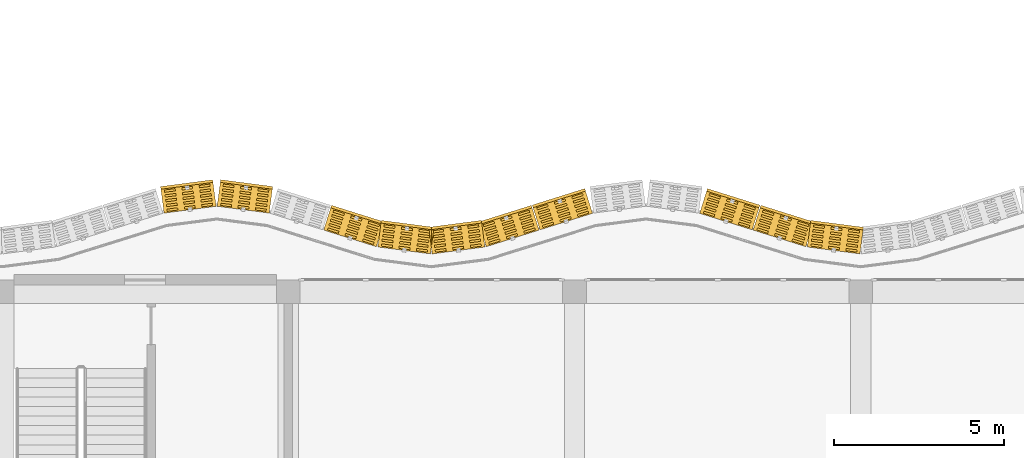
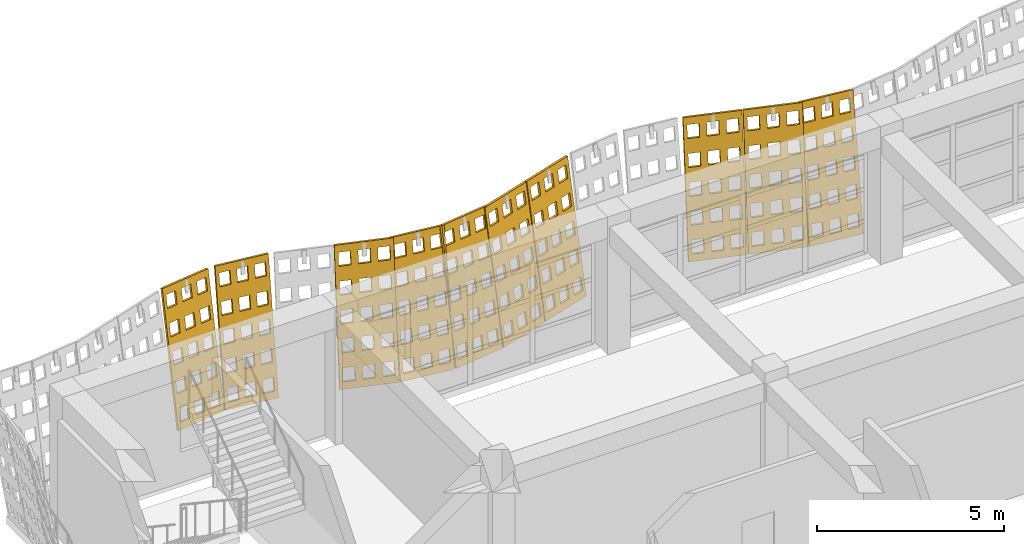
# One storey, part 159 of 163: 10 coverings.
"""IFC4 building model written with IfcOpenShell, lengths in metres."""

from ifc_helpers import new_model, si_unit, direction, frame, origin, place, context, subcontext, project, spatial, polyline, outline, extrude, material, layer, layer_set, type_object, element, save


model = new_model("IFC4")

# Units and contexts
model_context = context("Model", 3, precision=1e-05, world=origin(), true_north=direction((0.0, 1.0)))
body_context = subcontext(model_context, "Body", "Model", "MODEL_VIEW")
ifc_project = project(units=[si_unit("LENGTHUNIT", "METRE"), si_unit("AREAUNIT", "SQUARE_METRE"), si_unit("VOLUMEUNIT", "CUBIC_METRE"), si_unit("PLANEANGLEUNIT", "RADIAN"), si_unit("MASSUNIT", "GRAM", prefix="KILO")], contexts=[model_context])

# Site, building, storey
site_placement = place(None, origin())
site = spatial("IfcSite", under=ifc_project, at=site_placement, CompositionType="ELEMENT")
building_placement = place(site_placement, origin())
building = spatial("IfcBuilding", under=site, at=building_placement, Name="Rain Tree Exposition and Congress Centre", CompositionType="ELEMENT")
storey_placement = place(building_placement, frame((0.0, 0.0, 10.5)))
storey = spatial("IfcBuildingStorey", under=building, at=storey_placement, Name="L02", CompositionType="ELEMENT", Elevation=10.5)

# Coverings
ifc_material = material(Name="Perforated terracotta", Category="masonry")
ifc_layer = layer(ifc_material, 0.080078125)
ifc_layer_set = layer_set([ifc_layer], Name="Perforated terracotta")
covering_type = type_object("IfcCoveringType", Name="Terracotta screen 80", PredefinedType="CLADDING", material=ifc_layer_set)
covering_1_placement = place(storey_placement, frame((25.199951171875, 51.587646484375, 0.0), z_axis=(-0.127967328105, -0.978036007662, 0.16452942185), x_axis=(0.991548658387, -0.129735338481, 0.0)))
element("IfcCovering", 1, at=covering_1_placement, inside=storey, type_object=covering_type, Name="wing/screen/L02/085", PredefinedType="CLADDING", context=body_context, shape_type="SweptSolid", body=[
    extrude(outline(polyline([(-1.5732421875, 0.0), (-1.5732421875, 4.295166015625), (-0.014892578125, 4.295166015625), (-0.014892578125, 0.0), (-1.5732421875, 0.0)]), holes=[polyline([(-0.11376953125, 0.2216796875), (-0.11376953125, 0.63720703125), (-0.435791015625, 0.63720703125), (-0.435791015625, 0.2216796875), (-0.11376953125, 0.2216796875)]), polyline([(-0.11376953125, 1.080810546875), (-0.11376953125, 1.496337890625), (-0.435791015625, 1.496337890625), (-0.435791015625, 1.080810546875), (-0.11376953125, 1.080810546875)]), polyline([(-0.11376953125, 1.939697265625), (-0.11376953125, 2.35546875), (-0.435791015625, 2.35546875), (-0.435791015625, 1.939697265625), (-0.11376953125, 1.939697265625)]), polyline([(-0.11376953125, 2.798583984375), (-0.11376953125, 3.21435546875), (-0.435791015625, 3.21435546875), (-0.435791015625, 2.798583984375), (-0.11376953125, 2.798583984375)]), polyline([(-0.11376953125, 3.65771484375), (-0.11376953125, 4.073486328125), (-0.435791015625, 4.073486328125), (-0.435791015625, 3.65771484375), (-0.11376953125, 3.65771484375)]), polyline([(-0.633056640625, 0.2216796875), (-0.633056640625, 0.63720703125), (-0.955078125, 0.63720703125), (-0.955078125, 0.2216796875), (-0.633056640625, 0.2216796875)]), polyline([(-0.633056640625, 1.080810546875), (-0.633056640625, 1.496337890625), (-0.955078125, 1.496337890625), (-0.955078125, 1.080810546875), (-0.633056640625, 1.080810546875)]), polyline([(-0.633056640625, 1.939697265625), (-0.633056640625, 2.35546875), (-0.955078125, 2.35546875), (-0.955078125, 1.939697265625), (-0.633056640625, 1.939697265625)]), polyline([(-0.633056640625, 2.798583984375), (-0.633056640625, 3.21435546875), (-0.955078125, 3.21435546875), (-0.955078125, 2.798583984375), (-0.633056640625, 2.798583984375)]), polyline([(-0.633056640625, 3.65771484375), (-0.633056640625, 4.073486328125), (-0.955078125, 4.073486328125), (-0.955078125, 3.65771484375), (-0.633056640625, 3.65771484375)]), polyline([(-1.152587890625, 0.2216796875), (-1.152587890625, 0.63720703125), (-1.474609375, 0.63720703125), (-1.474609375, 0.2216796875), (-1.152587890625, 0.2216796875)]), polyline([(-1.152587890625, 1.080810546875), (-1.152587890625, 1.496337890625), (-1.474609375, 1.496337890625), (-1.474609375, 1.080810546875), (-1.152587890625, 1.080810546875)]), polyline([(-1.152587890625, 1.939697265625), (-1.152587890625, 2.35546875), (-1.474609375, 2.35546875), (-1.474609375, 1.939697265625), (-1.152587890625, 1.939697265625)]), polyline([(-1.152587890625, 2.798583984375), (-1.152587890625, 3.21435546875), (-1.474609375, 3.21435546875), (-1.474609375, 2.798583984375), (-1.152587890625, 2.798583984375)]), polyline([(-1.152587890625, 3.65771484375), (-1.152587890625, 4.073486328125), (-1.474609375, 4.073486328125), (-1.474609375, 3.65771484375), (-1.152587890625, 3.65771484375)])]), origin(), (0.0, 0.0, 1.0), 0.080078125),
])
covering_2_placement = place(storey_placement, frame((23.625, 51.79248046875, 0.0), z_axis=(-0.296569528658, -0.941684688936, 0.158985726703), x_axis=(0.953816392794, -0.300390227601, 0.0)))
element("IfcCovering", 2, at=covering_2_placement, inside=storey, type_object=covering_type, Name="wing/screen/L02/086", PredefinedType="CLADDING", context=body_context, shape_type="SweptSolid", body=[
    extrude(outline(polyline([(-1.635986328125, 0.0), (-1.635986328125, 4.291259765625), (-0.014892578125, 4.291259765625), (-0.014892578125, 0.0), (-1.635986328125, 0.0)]), holes=[polyline([(-0.11767578125, 0.221435546875), (-0.11767578125, 0.63671875), (-0.45263671875, 0.63671875), (-0.45263671875, 0.221435546875), (-0.11767578125, 0.221435546875)]), polyline([(-0.11767578125, 1.07958984375), (-0.11767578125, 1.4951171875), (-0.45263671875, 1.4951171875), (-0.45263671875, 1.07958984375), (-0.11767578125, 1.07958984375)]), polyline([(-0.11767578125, 1.93798828125), (-0.11767578125, 2.353271484375), (-0.45263671875, 2.353271484375), (-0.45263671875, 1.93798828125), (-0.11767578125, 1.93798828125)]), polyline([(-0.11767578125, 2.796142578125), (-0.11767578125, 3.21142578125), (-0.45263671875, 3.21142578125), (-0.45263671875, 2.796142578125), (-0.11767578125, 2.796142578125)]), polyline([(-0.11767578125, 3.654541015625), (-0.11767578125, 4.06982421875), (-0.45263671875, 4.06982421875), (-0.45263671875, 3.654541015625), (-0.11767578125, 3.654541015625)]), polyline([(-0.657958984375, 0.221435546875), (-0.657958984375, 0.63671875), (-0.992919921875, 0.63671875), (-0.992919921875, 0.221435546875), (-0.657958984375, 0.221435546875)]), polyline([(-0.657958984375, 1.07958984375), (-0.657958984375, 1.4951171875), (-0.992919921875, 1.4951171875), (-0.992919921875, 1.07958984375), (-0.657958984375, 1.07958984375)]), polyline([(-0.657958984375, 1.93798828125), (-0.657958984375, 2.353271484375), (-0.992919921875, 2.353271484375), (-0.992919921875, 1.93798828125), (-0.657958984375, 1.93798828125)]), polyline([(-0.657958984375, 2.796142578125), (-0.657958984375, 3.21142578125), (-0.992919921875, 3.21142578125), (-0.992919921875, 2.796142578125), (-0.657958984375, 2.796142578125)]), polyline([(-0.657958984375, 3.654541015625), (-0.657958984375, 4.06982421875), (-0.992919921875, 4.06982421875), (-0.992919921875, 3.654541015625), (-0.657958984375, 3.654541015625)]), polyline([(-1.1982421875, 0.221435546875), (-1.1982421875, 0.63671875), (-1.533203125, 0.63671875), (-1.533203125, 0.221435546875), (-1.1982421875, 0.221435546875)]), polyline([(-1.1982421875, 1.07958984375), (-1.1982421875, 1.4951171875), (-1.533203125, 1.4951171875), (-1.533203125, 1.07958984375), (-1.1982421875, 1.07958984375)]), polyline([(-1.1982421875, 1.93798828125), (-1.1982421875, 2.353271484375), (-1.533203125, 2.353271484375), (-1.533203125, 1.93798828125), (-1.1982421875, 1.93798828125)]), polyline([(-1.1982421875, 2.796142578125), (-1.1982421875, 3.21142578125), (-1.533203125, 3.21142578125), (-1.533203125, 2.796142578125), (-1.1982421875, 2.796142578125)]), polyline([(-1.1982421875, 3.654541015625), (-1.1982421875, 4.06982421875), (-1.533203125, 4.06982421875), (-1.533203125, 3.654541015625), (-1.1982421875, 3.654541015625)])]), origin(), (0.0, 0.0, 1.0), 0.079833984375),
])
covering_3_placement = place(storey_placement, frame((22.050048828125, 52.28759765625, 0.0), z_axis=(-0.295717964052, -0.942029390639, 0.158529217842), x_axis=(0.954094597562, -0.29950542383, 0.0)))
element("IfcCovering", 3, at=covering_3_placement, inside=storey, type_object=covering_type, Name="wing/screen/L02/087", PredefinedType="CLADDING", context=body_context, shape_type="SweptSolid", body=[
    extrude(outline(polyline([(-1.62890625, 0.0), (-1.62890625, 4.291259765625), (-0.014892578125, 4.291259765625), (-0.014892578125, 0.0), (-1.62890625, 0.0)]), holes=[polyline([(-0.1171875, 0.221435546875), (-0.1171875, 0.63671875), (-0.45068359375, 0.63671875), (-0.45068359375, 0.221435546875), (-0.1171875, 0.221435546875)]), polyline([(-0.1171875, 1.07958984375), (-0.1171875, 1.4951171875), (-0.45068359375, 1.4951171875), (-0.45068359375, 1.07958984375), (-0.1171875, 1.07958984375)]), polyline([(-0.1171875, 1.93798828125), (-0.1171875, 2.353271484375), (-0.45068359375, 2.353271484375), (-0.45068359375, 1.93798828125), (-0.1171875, 1.93798828125)]), polyline([(-0.1171875, 2.796142578125), (-0.1171875, 3.21142578125), (-0.45068359375, 3.21142578125), (-0.45068359375, 2.796142578125), (-0.1171875, 2.796142578125)]), polyline([(-0.1171875, 3.654541015625), (-0.1171875, 4.06982421875), (-0.45068359375, 4.06982421875), (-0.45068359375, 3.654541015625), (-0.1171875, 3.654541015625)]), polyline([(-0.6552734375, 0.221435546875), (-0.6552734375, 0.63671875), (-0.98876953125, 0.63671875), (-0.98876953125, 0.221435546875), (-0.6552734375, 0.221435546875)]), polyline([(-0.6552734375, 1.07958984375), (-0.6552734375, 1.4951171875), (-0.98876953125, 1.4951171875), (-0.98876953125, 1.07958984375), (-0.6552734375, 1.07958984375)]), polyline([(-0.6552734375, 1.93798828125), (-0.6552734375, 2.353271484375), (-0.98876953125, 2.353271484375), (-0.98876953125, 1.93798828125), (-0.6552734375, 1.93798828125)]), polyline([(-0.6552734375, 2.796142578125), (-0.6552734375, 3.21142578125), (-0.98876953125, 3.21142578125), (-0.98876953125, 2.796142578125), (-0.6552734375, 2.796142578125)]), polyline([(-0.6552734375, 3.654541015625), (-0.6552734375, 4.06982421875), (-0.98876953125, 4.06982421875), (-0.98876953125, 3.654541015625), (-0.6552734375, 3.654541015625)]), polyline([(-1.193115234375, 0.221435546875), (-1.193115234375, 0.63671875), (-1.526611328125, 0.63671875), (-1.526611328125, 0.221435546875), (-1.193115234375, 0.221435546875)]), polyline([(-1.193115234375, 1.07958984375), (-1.193115234375, 1.4951171875), (-1.526611328125, 1.4951171875), (-1.526611328125, 1.07958984375), (-1.193115234375, 1.07958984375)]), polyline([(-1.193115234375, 1.93798828125), (-1.193115234375, 2.353271484375), (-1.526611328125, 2.353271484375), (-1.526611328125, 1.93798828125), (-1.193115234375, 1.93798828125)]), polyline([(-1.193115234375, 2.796142578125), (-1.193115234375, 3.21142578125), (-1.526611328125, 3.21142578125), (-1.526611328125, 2.796142578125), (-1.193115234375, 2.796142578125)]), polyline([(-1.193115234375, 3.654541015625), (-1.193115234375, 4.06982421875), (-1.526611328125, 4.06982421875), (-1.526611328125, 3.654541015625), (-1.193115234375, 3.654541015625)])]), origin(), (0.0, 0.0, 1.0), 0.080078125),
])
covering_4_placement = place(storey_placement, frame((17.324951171875, 52.78271484375, 0.0), z_axis=(0.295717964052, -0.942029390639, 0.158529217842), x_axis=(0.954094597562, 0.29950542383, 0.0)))
element("IfcCovering", 4, at=covering_4_placement, inside=storey, type_object=covering_type, Name="wing/screen/L02/090", PredefinedType="CLADDING", context=body_context, shape_type="SweptSolid", body=[
    extrude(outline(polyline([(-1.635986328125, 0.0), (-1.635986328125, 4.291259765625), (-0.02197265625, 4.291259765625), (-0.02197265625, 0.0), (-1.635986328125, 0.0)]), holes=[polyline([(-0.124267578125, 0.221435546875), (-0.124267578125, 0.63671875), (-0.457763671875, 0.63671875), (-0.457763671875, 0.221435546875), (-0.124267578125, 0.221435546875)]), polyline([(-0.124267578125, 1.07958984375), (-0.124267578125, 1.4951171875), (-0.457763671875, 1.4951171875), (-0.457763671875, 1.07958984375), (-0.124267578125, 1.07958984375)]), polyline([(-0.124267578125, 1.93798828125), (-0.124267578125, 2.353271484375), (-0.457763671875, 2.353271484375), (-0.457763671875, 1.93798828125), (-0.124267578125, 1.93798828125)]), polyline([(-0.124267578125, 2.796142578125), (-0.124267578125, 3.21142578125), (-0.457763671875, 3.21142578125), (-0.457763671875, 2.796142578125), (-0.124267578125, 2.796142578125)]), polyline([(-0.124267578125, 3.654541015625), (-0.124267578125, 4.06982421875), (-0.457763671875, 4.06982421875), (-0.457763671875, 3.654541015625), (-0.124267578125, 3.654541015625)]), polyline([(-0.662109375, 0.221435546875), (-0.662109375, 0.63671875), (-0.995849609375, 0.63671875), (-0.995849609375, 0.221435546875), (-0.662109375, 0.221435546875)]), polyline([(-0.662109375, 1.07958984375), (-0.662109375, 1.4951171875), (-0.995849609375, 1.4951171875), (-0.995849609375, 1.07958984375), (-0.662109375, 1.07958984375)]), polyline([(-0.662109375, 1.93798828125), (-0.662109375, 2.353271484375), (-0.995849609375, 2.353271484375), (-0.995849609375, 1.93798828125), (-0.662109375, 1.93798828125)]), polyline([(-0.662109375, 2.796142578125), (-0.662109375, 3.21142578125), (-0.995849609375, 3.21142578125), (-0.995849609375, 2.796142578125), (-0.662109375, 2.796142578125)]), polyline([(-0.662109375, 3.654541015625), (-0.662109375, 4.06982421875), (-0.995849609375, 4.06982421875), (-0.995849609375, 3.654541015625), (-0.662109375, 3.654541015625)]), polyline([(-1.2001953125, 0.221435546875), (-1.2001953125, 0.63671875), (-1.53369140625, 0.63671875), (-1.53369140625, 0.221435546875), (-1.2001953125, 0.221435546875)]), polyline([(-1.2001953125, 1.07958984375), (-1.2001953125, 1.4951171875), (-1.53369140625, 1.4951171875), (-1.53369140625, 1.07958984375), (-1.2001953125, 1.07958984375)]), polyline([(-1.2001953125, 1.93798828125), (-1.2001953125, 2.353271484375), (-1.53369140625, 2.353271484375), (-1.53369140625, 1.93798828125), (-1.2001953125, 1.93798828125)]), polyline([(-1.2001953125, 2.796142578125), (-1.2001953125, 3.21142578125), (-1.53369140625, 3.21142578125), (-1.53369140625, 2.796142578125), (-1.2001953125, 2.796142578125)]), polyline([(-1.2001953125, 3.654541015625), (-1.2001953125, 4.06982421875), (-1.53369140625, 4.06982421875), (-1.53369140625, 3.654541015625), (-1.2001953125, 3.654541015625)])]), origin(), (0.0, 0.0, 1.0), 0.080078125),
])
covering_5_placement = place(storey_placement, frame((15.75, 52.28759765625, 0.0), z_axis=(0.295717964052, -0.942029390639, 0.158529217842), x_axis=(0.954094597562, 0.29950542383, 0.0)))
element("IfcCovering", 5, at=covering_5_placement, inside=storey, type_object=covering_type, Name="wing/screen/L02/091", PredefinedType="CLADDING", context=body_context, shape_type="SweptSolid", body=[
    extrude(outline(polyline([(-1.635986328125, 0.0), (-1.635986328125, 4.291259765625), (-0.014892578125, 4.291259765625), (-0.014892578125, 0.0), (-1.635986328125, 0.0)]), holes=[polyline([(-0.11767578125, 0.221435546875), (-0.11767578125, 0.63671875), (-0.45263671875, 0.63671875), (-0.45263671875, 0.221435546875), (-0.11767578125, 0.221435546875)]), polyline([(-0.11767578125, 1.07958984375), (-0.11767578125, 1.4951171875), (-0.45263671875, 1.4951171875), (-0.45263671875, 1.07958984375), (-0.11767578125, 1.07958984375)]), polyline([(-0.11767578125, 1.93798828125), (-0.11767578125, 2.353271484375), (-0.45263671875, 2.353271484375), (-0.45263671875, 1.93798828125), (-0.11767578125, 1.93798828125)]), polyline([(-0.11767578125, 2.796142578125), (-0.11767578125, 3.21142578125), (-0.45263671875, 3.21142578125), (-0.45263671875, 2.796142578125), (-0.11767578125, 2.796142578125)]), polyline([(-0.11767578125, 3.654541015625), (-0.11767578125, 4.06982421875), (-0.45263671875, 4.06982421875), (-0.45263671875, 3.654541015625), (-0.11767578125, 3.654541015625)]), polyline([(-0.657958984375, 0.221435546875), (-0.657958984375, 0.63671875), (-0.992919921875, 0.63671875), (-0.992919921875, 0.221435546875), (-0.657958984375, 0.221435546875)]), polyline([(-0.657958984375, 1.07958984375), (-0.657958984375, 1.4951171875), (-0.992919921875, 1.4951171875), (-0.992919921875, 1.07958984375), (-0.657958984375, 1.07958984375)]), polyline([(-0.657958984375, 1.93798828125), (-0.657958984375, 2.353271484375), (-0.992919921875, 2.353271484375), (-0.992919921875, 1.93798828125), (-0.657958984375, 1.93798828125)]), polyline([(-0.657958984375, 2.796142578125), (-0.657958984375, 3.21142578125), (-0.992919921875, 3.21142578125), (-0.992919921875, 2.796142578125), (-0.657958984375, 2.796142578125)]), polyline([(-0.657958984375, 3.654541015625), (-0.657958984375, 4.06982421875), (-0.992919921875, 4.06982421875), (-0.992919921875, 3.654541015625), (-0.657958984375, 3.654541015625)]), polyline([(-1.1982421875, 0.221435546875), (-1.1982421875, 0.63671875), (-1.533203125, 0.63671875), (-1.533203125, 0.221435546875), (-1.1982421875, 0.221435546875)]), polyline([(-1.1982421875, 1.07958984375), (-1.1982421875, 1.4951171875), (-1.533203125, 1.4951171875), (-1.533203125, 1.07958984375), (-1.1982421875, 1.07958984375)]), polyline([(-1.1982421875, 1.93798828125), (-1.1982421875, 2.353271484375), (-1.533203125, 2.353271484375), (-1.533203125, 1.93798828125), (-1.1982421875, 1.93798828125)]), polyline([(-1.1982421875, 2.796142578125), (-1.1982421875, 3.21142578125), (-1.533203125, 3.21142578125), (-1.533203125, 2.796142578125), (-1.1982421875, 2.796142578125)]), polyline([(-1.1982421875, 3.654541015625), (-1.1982421875, 4.06982421875), (-1.533203125, 4.06982421875), (-1.533203125, 3.654541015625), (-1.1982421875, 3.654541015625)])]), origin(), (0.0, 0.0, 1.0), 0.080078125),
])
covering_6_placement = place(storey_placement, frame((14.175048828125, 51.79248046875, 0.0), z_axis=(0.128349774249, -0.9779030419, 0.165021138321), x_axis=(0.991496427865, 0.130133906157, 0.0)))
element("IfcCovering", 6, at=covering_6_placement, inside=storey, type_object=covering_type, Name="wing/screen/L02/092", PredefinedType="CLADDING", context=body_context, shape_type="SweptSolid", body=[
    extrude(outline(polyline([(-1.5732421875, 0.0), (-1.5732421875, 4.295166015625), (-0.014892578125, 4.295166015625), (-0.014892578125, 0.0), (-1.5732421875, 0.0)]), holes=[polyline([(-0.11376953125, 0.2216796875), (-0.11376953125, 0.63720703125), (-0.435791015625, 0.63720703125), (-0.435791015625, 0.2216796875), (-0.11376953125, 0.2216796875)]), polyline([(-0.11376953125, 1.080810546875), (-0.11376953125, 1.496337890625), (-0.435791015625, 1.496337890625), (-0.435791015625, 1.080810546875), (-0.11376953125, 1.080810546875)]), polyline([(-0.11376953125, 1.939697265625), (-0.11376953125, 2.35546875), (-0.435791015625, 2.35546875), (-0.435791015625, 1.939697265625), (-0.11376953125, 1.939697265625)]), polyline([(-0.11376953125, 2.798583984375), (-0.11376953125, 3.21435546875), (-0.435791015625, 3.21435546875), (-0.435791015625, 2.798583984375), (-0.11376953125, 2.798583984375)]), polyline([(-0.11376953125, 3.65771484375), (-0.11376953125, 4.073486328125), (-0.435791015625, 4.073486328125), (-0.435791015625, 3.65771484375), (-0.11376953125, 3.65771484375)]), polyline([(-0.633056640625, 0.2216796875), (-0.633056640625, 0.63720703125), (-0.955078125, 0.63720703125), (-0.955078125, 0.2216796875), (-0.633056640625, 0.2216796875)]), polyline([(-0.633056640625, 1.080810546875), (-0.633056640625, 1.496337890625), (-0.955078125, 1.496337890625), (-0.955078125, 1.080810546875), (-0.633056640625, 1.080810546875)]), polyline([(-0.633056640625, 1.939697265625), (-0.633056640625, 2.35546875), (-0.955078125, 2.35546875), (-0.955078125, 1.939697265625), (-0.633056640625, 1.939697265625)]), polyline([(-0.633056640625, 2.798583984375), (-0.633056640625, 3.21435546875), (-0.955078125, 3.21435546875), (-0.955078125, 2.798583984375), (-0.633056640625, 2.798583984375)]), polyline([(-0.633056640625, 3.65771484375), (-0.633056640625, 4.073486328125), (-0.955078125, 4.073486328125), (-0.955078125, 3.65771484375), (-0.633056640625, 3.65771484375)]), polyline([(-1.152587890625, 0.2216796875), (-1.152587890625, 0.63720703125), (-1.474609375, 0.63720703125), (-1.474609375, 0.2216796875), (-1.152587890625, 0.2216796875)]), polyline([(-1.152587890625, 1.080810546875), (-1.152587890625, 1.496337890625), (-1.474609375, 1.496337890625), (-1.474609375, 1.080810546875), (-1.152587890625, 1.080810546875)]), polyline([(-1.152587890625, 1.939697265625), (-1.152587890625, 2.35546875), (-1.474609375, 2.35546875), (-1.474609375, 1.939697265625), (-1.152587890625, 1.939697265625)]), polyline([(-1.152587890625, 2.798583984375), (-1.152587890625, 3.21435546875), (-1.474609375, 3.21435546875), (-1.474609375, 2.798583984375), (-1.152587890625, 2.798583984375)]), polyline([(-1.152587890625, 3.65771484375), (-1.152587890625, 4.073486328125), (-1.474609375, 4.073486328125), (-1.474609375, 3.65771484375), (-1.152587890625, 3.65771484375)])]), origin(), (0.0, 0.0, 1.0), 0.079833984375),
])
covering_7_placement = place(storey_placement, frame((12.60009765625, 51.587646484375, 0.0), z_axis=(-0.127967328105, -0.978036007662, 0.16452942185), x_axis=(0.991548658387, -0.129735338481, 0.0)))
element("IfcCovering", 7, at=covering_7_placement, inside=storey, type_object=covering_type, Name="wing/screen/L02/093", PredefinedType="CLADDING", context=body_context, shape_type="SweptSolid", body=[
    extrude(outline(polyline([(-1.5732421875, 0.0), (-1.5732421875, 4.295166015625), (-0.014892578125, 4.295166015625), (-0.014892578125, 0.0), (-1.5732421875, 0.0)]), holes=[polyline([(-0.11376953125, 0.2216796875), (-0.11376953125, 0.63720703125), (-0.435791015625, 0.63720703125), (-0.435791015625, 0.2216796875), (-0.11376953125, 0.2216796875)]), polyline([(-0.11376953125, 1.080810546875), (-0.11376953125, 1.496337890625), (-0.435791015625, 1.496337890625), (-0.435791015625, 1.080810546875), (-0.11376953125, 1.080810546875)]), polyline([(-0.11376953125, 1.939697265625), (-0.11376953125, 2.35546875), (-0.435791015625, 2.35546875), (-0.435791015625, 1.939697265625), (-0.11376953125, 1.939697265625)]), polyline([(-0.11376953125, 2.798583984375), (-0.11376953125, 3.21435546875), (-0.435791015625, 3.21435546875), (-0.435791015625, 2.798583984375), (-0.11376953125, 2.798583984375)]), polyline([(-0.11376953125, 3.65771484375), (-0.11376953125, 4.073486328125), (-0.435791015625, 4.073486328125), (-0.435791015625, 3.65771484375), (-0.11376953125, 3.65771484375)]), polyline([(-0.633056640625, 0.2216796875), (-0.633056640625, 0.63720703125), (-0.955078125, 0.63720703125), (-0.955078125, 0.2216796875), (-0.633056640625, 0.2216796875)]), polyline([(-0.633056640625, 1.080810546875), (-0.633056640625, 1.496337890625), (-0.955078125, 1.496337890625), (-0.955078125, 1.080810546875), (-0.633056640625, 1.080810546875)]), polyline([(-0.633056640625, 1.939697265625), (-0.633056640625, 2.35546875), (-0.955078125, 2.35546875), (-0.955078125, 1.939697265625), (-0.633056640625, 1.939697265625)]), polyline([(-0.633056640625, 2.798583984375), (-0.633056640625, 3.21435546875), (-0.955078125, 3.21435546875), (-0.955078125, 2.798583984375), (-0.633056640625, 2.798583984375)]), polyline([(-0.633056640625, 3.65771484375), (-0.633056640625, 4.073486328125), (-0.955078125, 4.073486328125), (-0.955078125, 3.65771484375), (-0.633056640625, 3.65771484375)]), polyline([(-1.152587890625, 0.2216796875), (-1.152587890625, 0.63720703125), (-1.474609375, 0.63720703125), (-1.474609375, 0.2216796875), (-1.152587890625, 0.2216796875)]), polyline([(-1.152587890625, 1.080810546875), (-1.152587890625, 1.496337890625), (-1.474609375, 1.496337890625), (-1.474609375, 1.080810546875), (-1.152587890625, 1.080810546875)]), polyline([(-1.152587890625, 1.939697265625), (-1.152587890625, 2.35546875), (-1.474609375, 2.35546875), (-1.474609375, 1.939697265625), (-1.152587890625, 1.939697265625)]), polyline([(-1.152587890625, 2.798583984375), (-1.152587890625, 3.21435546875), (-1.474609375, 3.21435546875), (-1.474609375, 2.798583984375), (-1.152587890625, 2.798583984375)]), polyline([(-1.152587890625, 3.65771484375), (-1.152587890625, 4.073486328125), (-1.474609375, 4.073486328125), (-1.474609375, 3.65771484375), (-1.152587890625, 3.65771484375)])]), origin(), (0.0, 0.0, 1.0), 0.080078125),
])
covering_8_placement = place(storey_placement, frame((11.02490234375, 51.79248046875, 0.0), z_axis=(-0.296569528658, -0.941684688936, 0.158985726703), x_axis=(0.953816392794, -0.300390227601, 0.0)))
element("IfcCovering", 8, at=covering_8_placement, inside=storey, type_object=covering_type, Name="wing/screen/L02/094", PredefinedType="CLADDING", context=body_context, shape_type="SweptSolid", body=[
    extrude(outline(polyline([(-1.635986328125, 0.0), (-1.635986328125, 4.291259765625), (-0.014892578125, 4.291259765625), (-0.014892578125, 0.0), (-1.635986328125, 0.0)]), holes=[polyline([(-0.11767578125, 0.221435546875), (-0.11767578125, 0.63671875), (-0.45263671875, 0.63671875), (-0.45263671875, 0.221435546875), (-0.11767578125, 0.221435546875)]), polyline([(-0.11767578125, 1.07958984375), (-0.11767578125, 1.4951171875), (-0.45263671875, 1.4951171875), (-0.45263671875, 1.07958984375), (-0.11767578125, 1.07958984375)]), polyline([(-0.11767578125, 1.93798828125), (-0.11767578125, 2.353271484375), (-0.45263671875, 2.353271484375), (-0.45263671875, 1.93798828125), (-0.11767578125, 1.93798828125)]), polyline([(-0.11767578125, 2.796142578125), (-0.11767578125, 3.21142578125), (-0.45263671875, 3.21142578125), (-0.45263671875, 2.796142578125), (-0.11767578125, 2.796142578125)]), polyline([(-0.11767578125, 3.654541015625), (-0.11767578125, 4.06982421875), (-0.45263671875, 4.06982421875), (-0.45263671875, 3.654541015625), (-0.11767578125, 3.654541015625)]), polyline([(-0.657958984375, 0.221435546875), (-0.657958984375, 0.63671875), (-0.992919921875, 0.63671875), (-0.992919921875, 0.221435546875), (-0.657958984375, 0.221435546875)]), polyline([(-0.657958984375, 1.07958984375), (-0.657958984375, 1.4951171875), (-0.992919921875, 1.4951171875), (-0.992919921875, 1.07958984375), (-0.657958984375, 1.07958984375)]), polyline([(-0.657958984375, 1.93798828125), (-0.657958984375, 2.353271484375), (-0.992919921875, 2.353271484375), (-0.992919921875, 1.93798828125), (-0.657958984375, 1.93798828125)]), polyline([(-0.657958984375, 2.796142578125), (-0.657958984375, 3.21142578125), (-0.992919921875, 3.21142578125), (-0.992919921875, 2.796142578125), (-0.657958984375, 2.796142578125)]), polyline([(-0.657958984375, 3.654541015625), (-0.657958984375, 4.06982421875), (-0.992919921875, 4.06982421875), (-0.992919921875, 3.654541015625), (-0.657958984375, 3.654541015625)]), polyline([(-1.1982421875, 0.221435546875), (-1.1982421875, 0.63671875), (-1.533203125, 0.63671875), (-1.533203125, 0.221435546875), (-1.1982421875, 0.221435546875)]), polyline([(-1.1982421875, 1.07958984375), (-1.1982421875, 1.4951171875), (-1.533203125, 1.4951171875), (-1.533203125, 1.07958984375), (-1.1982421875, 1.07958984375)]), polyline([(-1.1982421875, 1.93798828125), (-1.1982421875, 2.353271484375), (-1.533203125, 2.353271484375), (-1.533203125, 1.93798828125), (-1.1982421875, 1.93798828125)]), polyline([(-1.1982421875, 2.796142578125), (-1.1982421875, 3.21142578125), (-1.533203125, 3.21142578125), (-1.533203125, 2.796142578125), (-1.1982421875, 2.796142578125)]), polyline([(-1.1982421875, 3.654541015625), (-1.1982421875, 4.06982421875), (-1.533203125, 4.06982421875), (-1.533203125, 3.654541015625), (-1.1982421875, 3.654541015625)])]), origin(), (0.0, 0.0, 1.0), 0.079833984375),
])
covering_9_placement = place(storey_placement, frame((7.875, 52.78271484375, 0.0), z_axis=(-0.127967328105, -0.978036007662, 0.16452942185), x_axis=(0.991548658387, -0.129735338481, 0.0)))
element("IfcCovering", 9, at=covering_9_placement, inside=storey, type_object=covering_type, Name="wing/screen/L02/096", PredefinedType="CLADDING", context=body_context, shape_type="SweptSolid", body=[
    extrude(outline(polyline([(-1.56298828125, 0.0), (-1.56298828125, 4.295166015625), (-0.02197265625, 4.295166015625), (-0.02197265625, 0.0), (-1.56298828125, 0.0)]), holes=[polyline([(-0.11962890625, 0.2216796875), (-0.11962890625, 0.63720703125), (-0.43798828125, 0.63720703125), (-0.43798828125, 0.2216796875), (-0.11962890625, 0.2216796875)]), polyline([(-0.11962890625, 1.080810546875), (-0.11962890625, 1.496337890625), (-0.43798828125, 1.496337890625), (-0.43798828125, 1.080810546875), (-0.11962890625, 1.080810546875)]), polyline([(-0.11962890625, 1.939697265625), (-0.11962890625, 2.35546875), (-0.43798828125, 2.35546875), (-0.43798828125, 1.939697265625), (-0.11962890625, 1.939697265625)]), polyline([(-0.11962890625, 2.798583984375), (-0.11962890625, 3.21435546875), (-0.43798828125, 3.21435546875), (-0.43798828125, 2.798583984375), (-0.11962890625, 2.798583984375)]), polyline([(-0.11962890625, 3.65771484375), (-0.11962890625, 4.073486328125), (-0.43798828125, 4.073486328125), (-0.43798828125, 3.65771484375), (-0.11962890625, 3.65771484375)]), polyline([(-0.63330078125, 0.2216796875), (-0.63330078125, 0.63720703125), (-0.95166015625, 0.63720703125), (-0.95166015625, 0.2216796875), (-0.63330078125, 0.2216796875)]), polyline([(-0.63330078125, 1.080810546875), (-0.63330078125, 1.496337890625), (-0.95166015625, 1.496337890625), (-0.95166015625, 1.080810546875), (-0.63330078125, 1.080810546875)]), polyline([(-0.63330078125, 1.939697265625), (-0.63330078125, 2.35546875), (-0.95166015625, 2.35546875), (-0.95166015625, 1.939697265625), (-0.63330078125, 1.939697265625)]), polyline([(-0.63330078125, 2.798583984375), (-0.63330078125, 3.21435546875), (-0.95166015625, 3.21435546875), (-0.95166015625, 2.798583984375), (-0.63330078125, 2.798583984375)]), polyline([(-0.63330078125, 3.65771484375), (-0.63330078125, 4.073486328125), (-0.95166015625, 4.073486328125), (-0.95166015625, 3.65771484375), (-0.63330078125, 3.65771484375)]), polyline([(-1.146728515625, 0.2216796875), (-1.146728515625, 0.63720703125), (-1.46533203125, 0.63720703125), (-1.46533203125, 0.2216796875), (-1.146728515625, 0.2216796875)]), polyline([(-1.146728515625, 1.080810546875), (-1.146728515625, 1.496337890625), (-1.46533203125, 1.496337890625), (-1.46533203125, 1.080810546875), (-1.146728515625, 1.080810546875)]), polyline([(-1.146728515625, 1.939697265625), (-1.146728515625, 2.35546875), (-1.46533203125, 2.35546875), (-1.46533203125, 1.939697265625), (-1.146728515625, 1.939697265625)]), polyline([(-1.146728515625, 2.798583984375), (-1.146728515625, 3.21435546875), (-1.46533203125, 3.21435546875), (-1.46533203125, 2.798583984375), (-1.146728515625, 2.798583984375)]), polyline([(-1.146728515625, 3.65771484375), (-1.146728515625, 4.073486328125), (-1.46533203125, 4.073486328125), (-1.46533203125, 3.65771484375), (-1.146728515625, 3.65771484375)])]), origin(), (0.0, 0.0, 1.0), 0.080078125),
])
covering_10_placement = place(storey_placement, frame((6.300048828125, 52.987548828125, 0.0), z_axis=(0.127967328105, -0.978036007662, 0.16452942185), x_axis=(0.991548658387, 0.129735338481, 0.0)))
element("IfcCovering", 10, at=covering_10_placement, inside=storey, type_object=covering_type, Name="wing/screen/L02/097", PredefinedType="CLADDING", context=body_context, shape_type="SweptSolid", body=[
    extrude(outline(polyline([(-1.56640625, 0.0), (-1.56640625, 4.295166015625), (-0.025390625, 4.295166015625), (-0.025390625, 0.0), (-1.56640625, 0.0)]), holes=[polyline([(-0.123046875, 0.2216796875), (-0.123046875, 0.63720703125), (-0.44140625, 0.63720703125), (-0.44140625, 0.2216796875), (-0.123046875, 0.2216796875)]), polyline([(-0.123046875, 1.080810546875), (-0.123046875, 1.496337890625), (-0.44140625, 1.496337890625), (-0.44140625, 1.080810546875), (-0.123046875, 1.080810546875)]), polyline([(-0.123046875, 1.939697265625), (-0.123046875, 2.35546875), (-0.44140625, 2.35546875), (-0.44140625, 1.939697265625), (-0.123046875, 1.939697265625)]), polyline([(-0.123046875, 2.798583984375), (-0.123046875, 3.21435546875), (-0.44140625, 3.21435546875), (-0.44140625, 2.798583984375), (-0.123046875, 2.798583984375)]), polyline([(-0.123046875, 3.65771484375), (-0.123046875, 4.073486328125), (-0.44140625, 4.073486328125), (-0.44140625, 3.65771484375), (-0.123046875, 3.65771484375)]), polyline([(-0.63671875, 0.2216796875), (-0.63671875, 0.63720703125), (-0.955078125, 0.63720703125), (-0.955078125, 0.2216796875), (-0.63671875, 0.2216796875)]), polyline([(-0.63671875, 1.080810546875), (-0.63671875, 1.496337890625), (-0.955078125, 1.496337890625), (-0.955078125, 1.080810546875), (-0.63671875, 1.080810546875)]), polyline([(-0.63671875, 1.939697265625), (-0.63671875, 2.35546875), (-0.955078125, 2.35546875), (-0.955078125, 1.939697265625), (-0.63671875, 1.939697265625)]), polyline([(-0.63671875, 2.798583984375), (-0.63671875, 3.21435546875), (-0.955078125, 3.21435546875), (-0.955078125, 2.798583984375), (-0.63671875, 2.798583984375)]), polyline([(-0.63671875, 3.65771484375), (-0.63671875, 4.073486328125), (-0.955078125, 4.073486328125), (-0.955078125, 3.65771484375), (-0.63671875, 3.65771484375)]), polyline([(-1.150146484375, 0.2216796875), (-1.150146484375, 0.63720703125), (-1.46875, 0.63720703125), (-1.46875, 0.2216796875), (-1.150146484375, 0.2216796875)]), polyline([(-1.150146484375, 1.080810546875), (-1.150146484375, 1.496337890625), (-1.46875, 1.496337890625), (-1.46875, 1.080810546875), (-1.150146484375, 1.080810546875)]), polyline([(-1.150146484375, 1.939697265625), (-1.150146484375, 2.35546875), (-1.46875, 2.35546875), (-1.46875, 1.939697265625), (-1.150146484375, 1.939697265625)]), polyline([(-1.150146484375, 2.798583984375), (-1.150146484375, 3.21435546875), (-1.46875, 3.21435546875), (-1.46875, 2.798583984375), (-1.150146484375, 2.798583984375)]), polyline([(-1.150146484375, 3.65771484375), (-1.150146484375, 4.073486328125), (-1.46875, 4.073486328125), (-1.46875, 3.65771484375), (-1.150146484375, 3.65771484375)])]), origin(), (0.0, 0.0, 1.0), 0.080078125),
])

save(model, "model.ifc")
